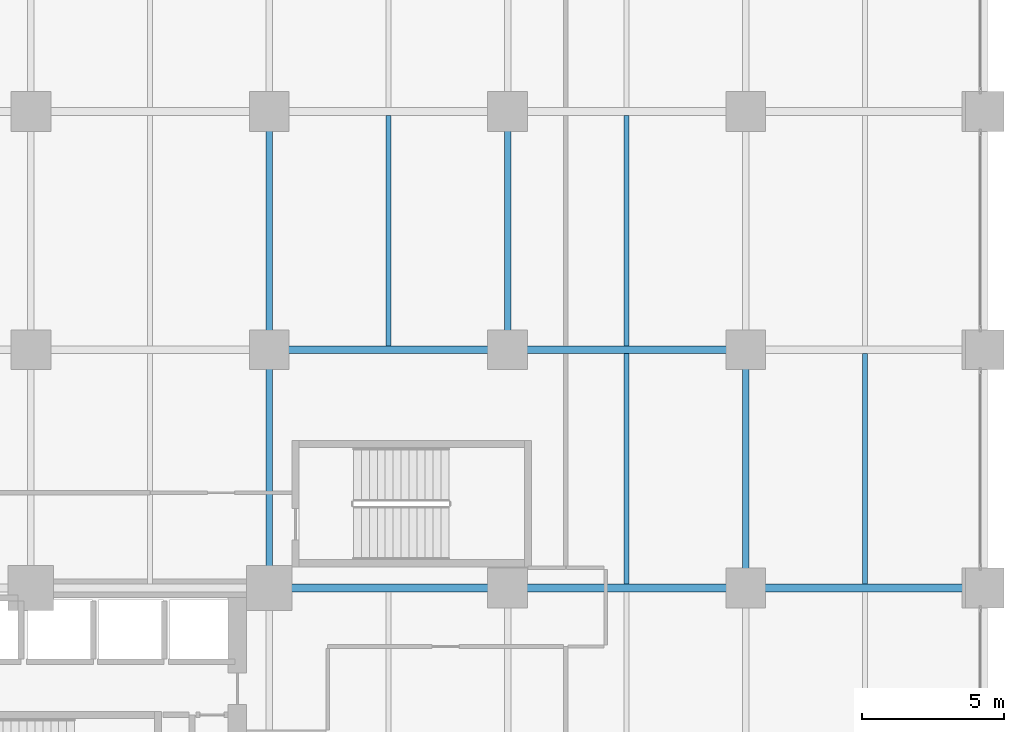
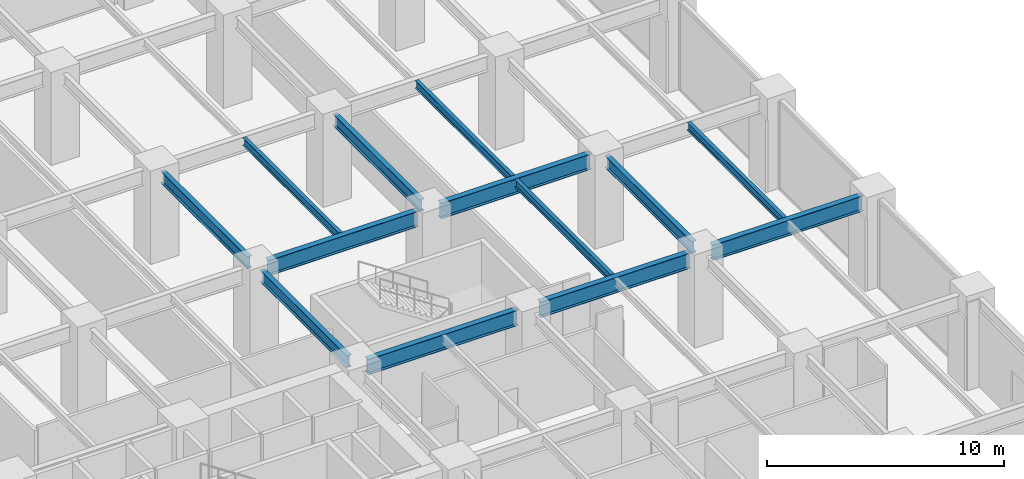
# One storey, part 7 of 24: 13 beams.
"""IFC4 building model written with IfcOpenShell, lengths in metres."""

from ifc_helpers import new_model, si_unit, direction, frame, origin, origin_2d, place, context, subcontext, project, spatial, i_section, extrude, material, material_profile, profile_set, type_object, element, save


model = new_model("IFC4")

# Units and contexts
model_context = context("Model", 3, precision=1e-05, world=origin(), true_north=direction((0.0, 1.0)))
body_context = subcontext(model_context, "Body", "Model", "MODEL_VIEW")
ifc_project = project(units=[si_unit("LENGTHUNIT", "METRE"), si_unit("AREAUNIT", "SQUARE_METRE"), si_unit("VOLUMEUNIT", "CUBIC_METRE"), si_unit("PLANEANGLEUNIT", "RADIAN"), si_unit("MASSUNIT", "GRAM", prefix="KILO")], contexts=[model_context])

# Site, building, storey
site_placement = place(None, origin())
site = spatial("IfcSite", under=ifc_project, at=site_placement, CompositionType="ELEMENT")
building_placement = place(site_placement, origin())
building = spatial("IfcBuilding", under=site, at=building_placement, Name="Nerrivon Quay Data Exchange", CompositionType="ELEMENT")
storey_placement = place(building_placement, frame((0.0, 0.0, 10.199951171875)))
storey = spatial("IfcBuildingStorey", under=building, at=storey_placement, Name="L02", CompositionType="ELEMENT", Elevation=10.199951171875)

# Beams
ifc_material = material(Name="Steel Grade 350", Category="steel")
ifc_material_profile_1 = material_profile(ifc_material, i_section(OverallWidth=0.22900390625, OverallDepth=0.612060546875, WebThickness=0.011962890625, FlangeThickness=0.01953125, FilletRadius=0.013916015625, at=origin_2d()), Name="610UB125")
ifc_profile_set_1 = profile_set([ifc_material_profile_1], Name="Steel Grade 350")
beam_type_1 = type_object("IfcBeamType", Name="BM-G1-610UB125", PredefinedType="BEAM", material=ifc_profile_set_1)
beam_1_placement = place(storey_placement, frame((33.60009765625, 17.340087890625, 4.218994140625), z_axis=(0.0, 1.0, 0.0), x_axis=(-1.0, 0.0, 0.0)))
element("IfcBeam", 1, at=beam_1_placement, inside=storey, type_object=beam_type_1, Name="L02 NS Girder X=33.6 (16.8..25.2)", PredefinedType="BEAM", context=body_context, shape_type="SweptSolid", body=[
    extrude(i_section(OverallWidth=0.22900390625, OverallDepth=0.612060546875, WebThickness=0.011962890625, FlangeThickness=0.01953125, FilletRadius=0.013916015625, at=origin_2d()), origin(), (0.0, 0.0, 1.0), 7.31982421875),
])
for number, where, z_axis, x_axis, name in (
    (2, (33.60009765625, 25.739990234375, 4.218994140625), (0.0, 1.0, 0.0), (-1.0, 0.0, 0.0), "L02 NS Girder X=33.6 (25.2..33.6)"),
    (3, (42.0, 25.739990234375, 4.218994140625), (0.0, 1.0, 0.0), (-1.0, 0.0, 0.0), "L02 NS Girder X=42.0 (25.2..33.6)"),
):
    element("IfcBeam", number, at=place(storey_placement, frame(where, z_axis=z_axis, x_axis=x_axis)), inside=storey, type_object=beam_type_1, Name=name, PredefinedType="BEAM", context=body_context, shape_type="SweptSolid", body=[
        extrude(i_section(OverallWidth=0.22900390625, OverallDepth=0.612060546875, WebThickness=0.011962890625, FlangeThickness=0.01953125, FilletRadius=0.013916015625, at=origin_2d()), origin(), (0.0, 0.0, 1.0), 7.320068359375),
    ])
beam_2_placement = place(storey_placement, frame((50.39990234375, 17.340087890625, 4.218994140625), z_axis=(0.0, 1.0, 0.0), x_axis=(-1.0, 0.0, 0.0)))
element("IfcBeam", 4, at=beam_2_placement, inside=storey, type_object=beam_type_1, Name="L02 NS Girder X=50.4 (16.8..25.2)", PredefinedType="BEAM", context=body_context, shape_type="SweptSolid", body=[
    extrude(i_section(OverallWidth=0.22900390625, OverallDepth=0.612060546875, WebThickness=0.011962890625, FlangeThickness=0.01953125, FilletRadius=0.013916015625, at=origin_2d()), origin(), (0.0, 0.0, 1.0), 7.31982421875),
])
ifc_material_profile_2 = material_profile(ifc_material, i_section(OverallWidth=0.27490234375, OverallDepth=0.800048828125, WebThickness=0.010009765625, FlangeThickness=0.02001953125, at=origin_2d()), Name="800WB146")
ifc_profile_set_2 = profile_set([ifc_material_profile_2], Name="Steel Grade 350")
beam_type_2 = type_object("IfcBeamType", Name="BM-G8-800WB146", PredefinedType="BEAM", material=ifc_profile_set_2)
for number, where, z_axis, x_axis, name in (
    (5, (34.139892578125, 16.800048828125, 4.125), (1.0, 0.0, 0.0), (0.0, 1.0, 0.0), "L02 EW Girder Y=16.8 (33.6..42.0)"),
    (6, (42.5400390625, 16.800048828125, 4.125), (1.0, 0.0, 0.0), (0.0, 1.0, 0.0), "L02 EW Girder Y=16.8 (42.0..50.4)"),
    (7, (50.93994140625, 16.800048828125, 4.125), (1.0, 0.0, 0.0), (0.0, 1.0, 0.0), "L02 EW Girder Y=16.8 (50.4..58.8)"),
    (8, (34.139892578125, 25.199951171875, 4.125), (1.0, 0.0, 0.0), (0.0, 1.0, 0.0), "L02 EW Girder Y=25.2 (33.6..42.0)"),
    (9, (42.5400390625, 25.199951171875, 4.125), (1.0, 0.0, 0.0), (0.0, 1.0, 0.0), "L02 EW Girder Y=25.2 (42.0..50.4)"),
):
    element("IfcBeam", number, at=place(storey_placement, frame(where, z_axis=z_axis, x_axis=x_axis)), inside=storey, type_object=beam_type_2, Name=name, PredefinedType="BEAM", context=body_context, shape_type="SweptSolid", body=[
        extrude(i_section(OverallWidth=0.27490234375, OverallDepth=0.800048828125, WebThickness=0.010009765625, FlangeThickness=0.02001953125, at=origin_2d()), origin(), (0.0, 0.0, 1.0), 7.320068359375),
    ])
ifc_material_profile_3 = material_profile(ifc_material, i_section(OverallWidth=0.177978515625, OverallDepth=0.403076171875, WebThickness=0.007568359375, FlangeThickness=0.010986328125, FilletRadius=0.011474609375, at=origin_2d()), Name="410UB53.7")
ifc_profile_set_3 = profile_set([ifc_material_profile_3], Name="Steel Grade 350")
beam_type_3 = type_object("IfcBeamType", Name="BM-J2-410UB54", PredefinedType="JOIST", material=ifc_profile_set_3)
for number, where, z_axis, x_axis, name in (
    (10, (37.800048828125, 25.33740234375, 4.323486328125), (0.0, 1.0, 0.0), (-1.0, 0.0, 0.0), "L02 Secondary Joist X=37.8 (25.2..33.6)"),
    (11, (46.199951171875, 16.9375, 4.323486328125), (0.0, 1.0, 0.0), (-1.0, 0.0, 0.0), "L02 Secondary Joist X=46.2 (16.8..25.2)"),
    (12, (46.199951171875, 25.33740234375, 4.323486328125), (0.0, 1.0, 0.0), (-1.0, 0.0, 0.0), "L02 Secondary Joist X=46.2 (25.2..33.6)"),
    (13, (54.60009765625, 16.9375, 4.323486328125), (0.0, 1.0, 0.0), (-1.0, 0.0, 0.0), "L02 Secondary Joist X=54.6 (16.8..25.2)"),
):
    element("IfcBeam", number, at=place(storey_placement, frame(where, z_axis=z_axis, x_axis=x_axis)), inside=storey, type_object=beam_type_3, Name=name, PredefinedType="JOIST", context=body_context, shape_type="SweptSolid", body=[
        extrude(i_section(OverallWidth=0.177978515625, OverallDepth=0.403076171875, WebThickness=0.007568359375, FlangeThickness=0.010986328125, FilletRadius=0.011474609375, at=origin_2d()), origin(), (0.0, 0.0, 1.0), 8.125),
    ])

save(model, "model.ifc")
